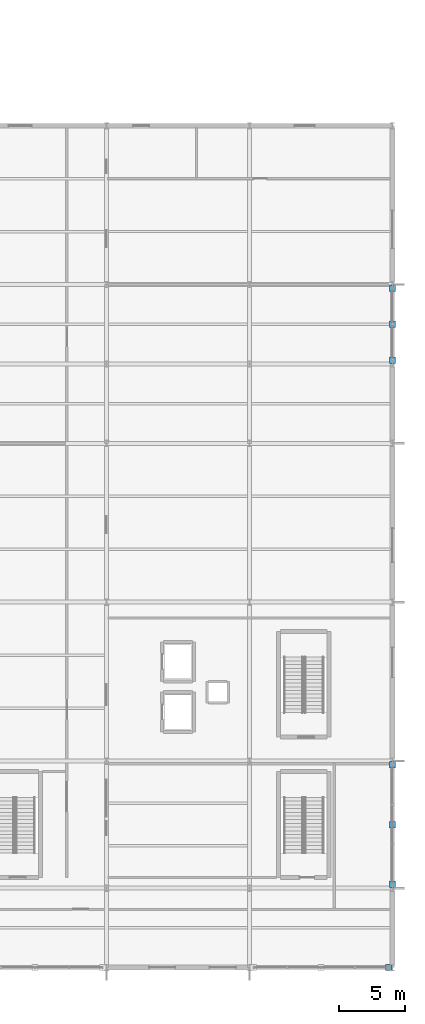
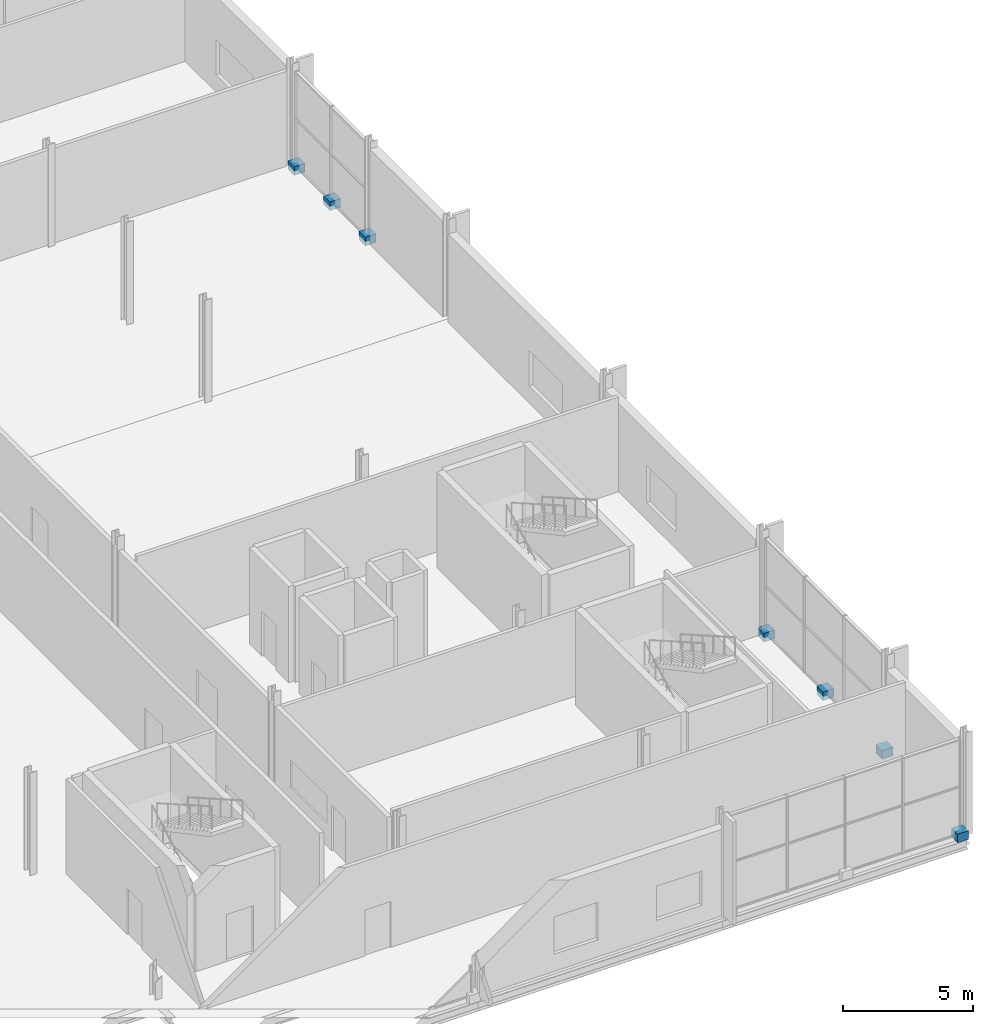
# One storey, part 150 of 159: 7 discrete accessories.
"""IFC4 building model written with IfcOpenShell, lengths in metres."""

from ifc_helpers import new_model, si_unit, direction, frame, origin, origin_2d, place, context, subcontext, project, spatial, rectangle, extrude, material, layer, layer_set, type_object, element, save


model = new_model("IFC4")

# Units and contexts
model_context = context("Model", 3, precision=1e-05, world=origin(), true_north=direction((0.0, 1.0)))
body_context = subcontext(model_context, "Body", "Model", "MODEL_VIEW")
ifc_project = project(units=[si_unit("LENGTHUNIT", "METRE"), si_unit("AREAUNIT", "SQUARE_METRE"), si_unit("VOLUMEUNIT", "CUBIC_METRE"), si_unit("PLANEANGLEUNIT", "RADIAN"), si_unit("MASSUNIT", "GRAM", prefix="KILO")], contexts=[model_context])

# Site, building, storey
site_placement = place(None, origin())
site = spatial("IfcSite", under=ifc_project, at=site_placement, CompositionType="ELEMENT")
building_placement = place(site_placement, origin())
building = spatial("IfcBuilding", under=site, at=building_placement, Name="Merenkruunu Market Hall", CompositionType="ELEMENT")
storey_placement = place(building_placement, frame((0.0, 0.0, 5.39990234375)))
storey = spatial("IfcBuildingStorey", under=building, at=storey_placement, Name="L01", CompositionType="ELEMENT", Elevation=5.39990234375)

# Discrete accessories
ifc_material = material(Name="Brushed stainless steel", Category="steel")
ifc_layer = layer(ifc_material, 0.159912109375)
ifc_layer_set = layer_set([ifc_layer], Name="Brushed stainless steel")
discrete_accessory_type = type_object("IfcDiscreteAccessoryType", Name="Stainless Facade Support Bracket BRK01", PredefinedType="BRACKET", material=ifc_layer_set)
for number, where, z_axis, x_axis, name in (
    (1, (191.719970703125, 0.0, -0.199951171875), (0.0, 0.0, 1.0), (1.0, 0.0, 0.0), "ACC-CWBRK-208-1"),
    (2, (192.0, 15.320068359375, -0.199951171875), (0.0, 0.0, 1.0), (1.0, 0.0, 0.0), "ACC-CWBRK-209-1"),
    (3, (192.0, 10.800048828125, -0.199951171875), (0.0, 0.0, 1.0), (1.0, 0.0, 0.0), "ACC-CWBRK-209-2"),
    (4, (192.0, 6.280029296875, -0.199951171875), (0.0, 0.0, 1.0), (1.0, 0.0, 0.0), "ACC-CWBRK-209-3"),
    (5, (192.0, 51.320068359375, -0.199951171875), (0.0, 0.0, 1.0), (1.0, 0.0, 0.0), "ACC-CWBRK-210-1"),
    (6, (192.0, 48.60009765625, -0.199951171875), (0.0, 0.0, 1.0), (1.0, 0.0, 0.0), "ACC-CWBRK-210-2"),
    (7, (192.0, 45.8798828125, -0.199951171875), (0.0, 0.0, 1.0), (1.0, 0.0, 0.0), "ACC-CWBRK-210-3"),
):
    element("IfcDiscreteAccessory", number, at=place(storey_placement, frame(where, z_axis=z_axis, x_axis=x_axis)), inside=storey, type_object=discrete_accessory_type, Name=name, PredefinedType="BRACKET", context=body_context, shape_type="SweptSolid", body=[
        extrude(rectangle(XDim=0.47998046875, YDim=0.47998046875, at=origin_2d()), origin(), (0.0, 0.0, 1.0), 0.39990234375),
    ])

save(model, "model.ifc")
